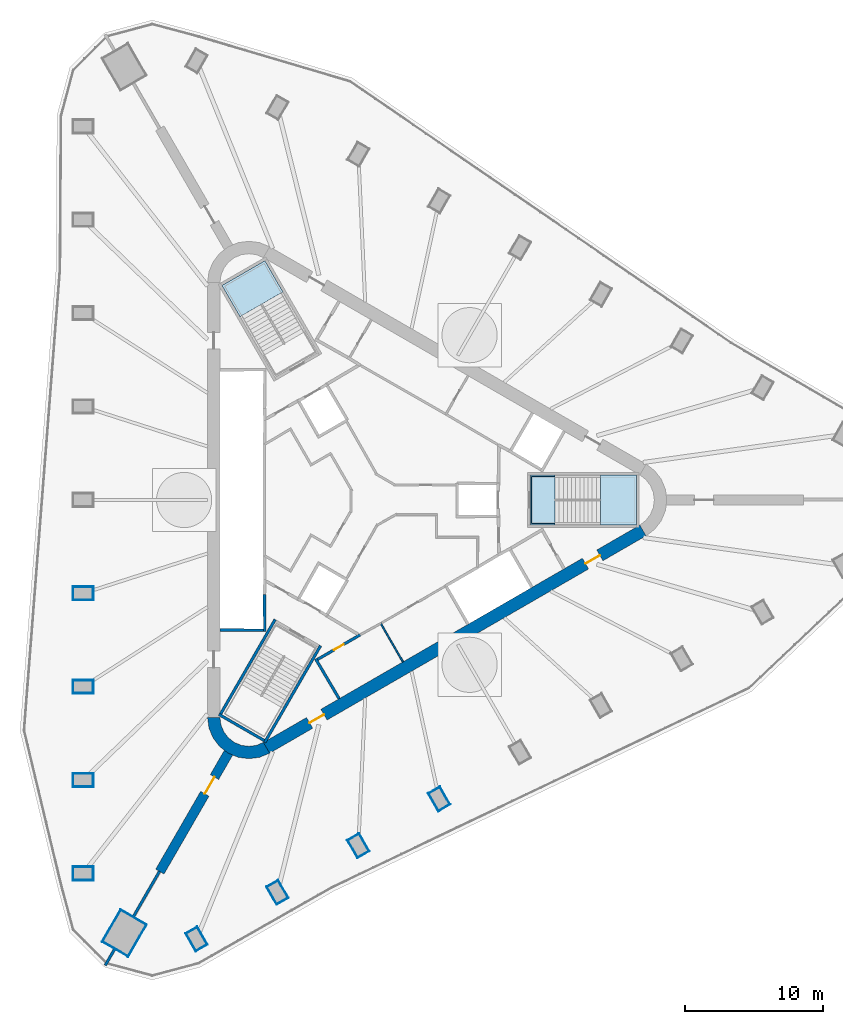
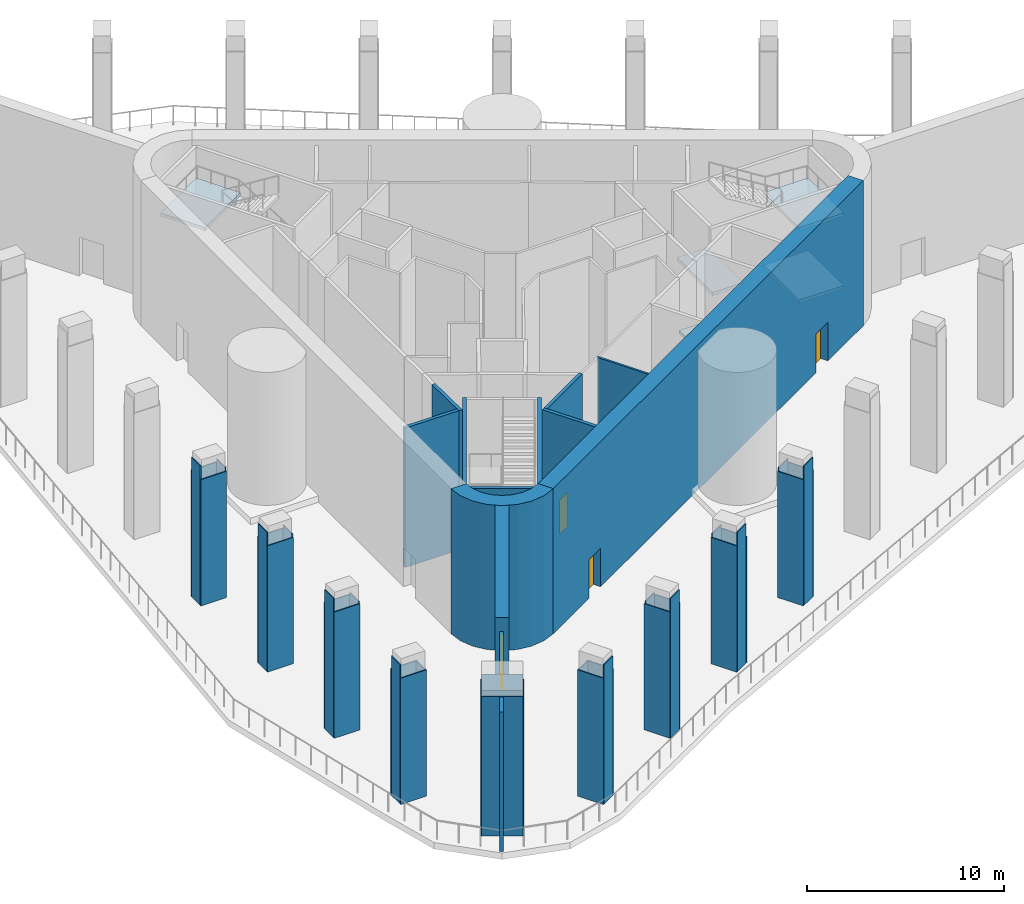
# One storey, part 2 of 10: 49 walls, 5 slabs, 4 doors, 4 openings, 2 elements without a shape of their own.
"""IFC4 building model written with IfcOpenShell, lengths in metres."""

import ifcopenshell
import ifcopenshell.guid

model = None  # the IFC model being written
_history = None  # IfcOwnerHistory: only IFC2X3 demands one
_inside = {}  # id of a spatial element -> (the spatial element, [elements in it])
_under = {}  # id of a project, library or spatial element -> (it, [spatial elements below it])
_declared = {}  # id of a project -> (the project, [libraries it declares])
_typed = {}  # id of a type object -> (the type object, [elements of that type])
_made_of = {}  # id of a material, layer set ... -> (it, [elements and type objects made of it])


def new_model(schema):
    """Start an empty IFC model of exactly this schema.

    Asked for "IFC4X3", IfcOpenShell would pick the latest addendum, in which some entities
    have other attributes; the version numbers below select the first issue.
    IFC2X3 requires an IfcOwnerHistory on every rooted entity: one is made here for all.
    """
    global model, _history
    if schema == "IFC4X3":
        model = ifcopenshell.file(schema_version=(4, 3, 0, 0))
    else:
        model = ifcopenshell.file(schema=schema)
    _inside.clear()
    _under.clear()
    _declared.clear()
    _typed.clear()
    _made_of.clear()
    _history = None
    if model.schema == "IFC2X3":
        org = make("IfcOrganization", Name="unknown")
        user = make(
            "IfcPersonAndOrganization",
            ThePerson=make("IfcPerson", FamilyName="unknown"),
            TheOrganization=org,
        )
        app = make(
            "IfcApplication",
            ApplicationDeveloper=org,
            Version="unknown",
            ApplicationFullName="unknown",
            ApplicationIdentifier="unknown",
        )
        _history = make(
            "IfcOwnerHistory",
            OwningUser=user,
            OwningApplication=app,
            ChangeAction="ADDED",
            CreationDate=0,
        )
    return model


def make(cls, **values):
    """One entity of the class cls with the attributes given. An attribute that is None is left unset."""
    return model.create_entity(
        cls, **{name: value for name, value in values.items() if value is not None}
    )


def rooted(cls, **values):
    """An entity with a GlobalId (a new one), such as an element, a storey or a relation."""
    return make(cls, GlobalId=ifcopenshell.guid.new(), OwnerHistory=_history, **values)


def si_unit(unit_type, name, prefix=None):
    """IfcSIUnit, for example si_unit("LENGTHUNIT", "METRE", prefix="MILLI")."""
    return make("IfcSIUnit", UnitType=unit_type, Prefix=prefix, Name=name)


def assignment(units):
    """IfcUnitAssignment: the units of a project."""
    return None if units is None else make("IfcUnitAssignment", Units=units)


def point(xyz):
    """IfcCartesianPoint."""
    return None if xyz is None else make("IfcCartesianPoint", Coordinates=xyz)


def direction(xyz):
    """IfcDirection."""
    return None if xyz is None else make("IfcDirection", DirectionRatios=xyz)


def frame(location, z_axis=None, x_axis=None):
    """IfcAxis2Placement3D, a coordinate frame: its origin and axes. An axis left out is left unset."""
    return make(
        "IfcAxis2Placement3D",
        Location=point(location),
        Axis=direction(z_axis),
        RefDirection=direction(x_axis),
    )


def frame_2d(location, x_axis=None):
    """IfcAxis2Placement2D, a coordinate frame in the plane: its origin and x axis."""
    return make(
        "IfcAxis2Placement2D", Location=point(location), RefDirection=direction(x_axis)
    )


def origin():
    """The frame at (0, 0, 0) with its axes left unset."""
    return frame((0.0, 0.0, 0.0))


def place(relative_to, where):
    """IfcLocalPlacement: puts the frame where relative to a parent placement (None: the world)."""
    return make(
        "IfcLocalPlacement", PlacementRelTo=relative_to, RelativePlacement=where
    )


def context(
    kind, dimensions, precision=None, world=None, true_north=None, identifier=None
):
    """IfcGeometricRepresentationContext, for example the 3D "Model" context."""
    return make(
        "IfcGeometricRepresentationContext",
        ContextIdentifier=identifier,
        ContextType=kind,
        CoordinateSpaceDimension=dimensions,
        Precision=precision,
        WorldCoordinateSystem=world,
        TrueNorth=true_north,
    )


def subcontext(parent, identifier, kind, view, scale=None):
    """IfcGeometricRepresentationSubContext, for example "Body" below "Model"."""
    return make(
        "IfcGeometricRepresentationSubContext",
        ContextIdentifier=identifier,
        ContextType=kind,
        ParentContext=parent,
        TargetScale=scale,
        TargetView=view,
    )


def project(units=None, contexts=None):
    """IfcProject with its units and contexts."""
    return rooted(
        "IfcProject",
        Name="project",
        RepresentationContexts=contexts,
        UnitsInContext=assignment(units),
    )


def spatial(cls, under=None, at=None, **own):
    """A site, building, storey or space (cls), placed at a placement, below another one or the project."""
    s = rooted(cls, ObjectPlacement=at, **own)
    if under is not None:
        _under.setdefault(under.id(), (under, []))[1].append(s)
    return s


def polyline(points):
    """IfcPolyline through the points."""
    return make("IfcPolyline", Points=[point(p) for p in points])


def profile(cls, at=None, kind="AREA", **sizes):
    """A parametric profile (cls). Its sizes go by their IFC names, for example OverallWidth=200.0."""
    return make(cls, ProfileType=kind, Position=at, **sizes)


def rectangle(**sizes):
    """IfcRectangleProfileDef."""
    return profile("IfcRectangleProfileDef", **sizes)


def outline(outer, holes=None, kind="AREA"):
    """IfcArbitraryClosedProfileDef: a profile drawn as a closed curve; with holes, ...WithVoids."""
    if holes is None:
        return make("IfcArbitraryClosedProfileDef", ProfileType=kind, OuterCurve=outer)
    return make(
        "IfcArbitraryProfileDefWithVoids",
        ProfileType=kind,
        OuterCurve=outer,
        InnerCurves=holes,
    )


def extrude(swept, where, along, depth):
    """IfcExtrudedAreaSolid: the profile swept, set in the frame where, extruded along a direction by depth."""
    return make(
        "IfcExtrudedAreaSolid",
        SweptArea=swept,
        Position=where,
        ExtrudedDirection=direction(along),
        Depth=depth,
    )


def shape(context_of_items, identifier, shape_type, items):
    """IfcShapeRepresentation: the items that make up one representation, for example the "Body"."""
    return make(
        "IfcShapeRepresentation",
        ContextOfItems=context_of_items,
        RepresentationIdentifier=identifier,
        RepresentationType=shape_type,
        Items=items,
    )


def material(Name=None, Category=None):
    """IfcMaterial."""
    return make("IfcMaterial", Name=Name, Category=Category)


def layer(
    of_material, thickness, ventilated=None, Name=None, Category=None, Priority=None
):
    """IfcMaterialLayer: one layer of a wall or slab, of a material (None: an air gap)."""
    return make(
        "IfcMaterialLayer",
        Material=of_material,
        LayerThickness=thickness,
        IsVentilated=ventilated,
        Name=Name,
        Category=Category,
        Priority=Priority,
    )


def layer_set(layers, Name=None):
    """IfcMaterialLayerSet."""
    return make("IfcMaterialLayerSet", MaterialLayers=layers, LayerSetName=Name)


def made_of(thing, what):
    """Note that an element or type object is made of a material, layer set ...; save() writes the relation."""
    if what is not None:
        _made_of.setdefault(what.id(), (what, []))[1].append(thing)
    return thing


def type_object(cls, material=None, **own):
    """A type object (cls), such as IfcWallType, which elements share."""
    return made_of(rooted(cls, **own), material)


def element(
    cls,
    number,
    at=None,
    inside=None,
    cuts=None,
    type_object=None,
    material=None,
    context=None,
    identifier="Body",
    shape_type=None,
    held_by="IfcProductDefinitionShape",
    body=None,
    shapes=None,
    **own,
):
    """One element of the class cls, such as IfcWall. Its Tag is "e" and its number.

    at: its placement. inside: the storey or other place that contains it. cuts: it is an
    opening in that element (IfcRelVoidsElement). A single representation is given by context,
    identifier, shape_type and body (its items); several are given by shapes. held_by: the class
    of the entity that holds the representations. save() writes the other relations.
    """
    e = rooted(cls, Tag="e%d" % number, ObjectPlacement=at, **own)
    if body is not None:
        shapes = [shape(context, identifier, shape_type, body)]
    if shapes is not None:
        e.Representation = make(held_by, Representations=shapes)
    if inside is not None:
        _inside.setdefault(inside.id(), (inside, []))[1].append(e)
    if cuts is not None:
        rooted(
            "IfcRelVoidsElement", RelatingBuildingElement=cuts, RelatedOpeningElement=e
        )
    if type_object is not None:
        _typed.setdefault(type_object.id(), (type_object, []))[1].append(e)
    return made_of(e, material)


def fill(opening, filler):
    """IfcRelFillsElement: the door or window that sits in an opening."""
    return rooted(
        "IfcRelFillsElement",
        RelatingOpeningElement=opening,
        RelatedBuildingElement=filler,
    )


def aggregate(whole, parts):
    """IfcRelAggregates: a whole, such as a stair, and the parts it consists of."""
    return rooted("IfcRelAggregates", RelatingObject=whole, RelatedObjects=parts)


def save(model, path):
    """Write the relations noted so far, then the file.

    IfcRelAggregates (storeys below a building ...), IfcRelContainedInSpatialStructure (elements
    in a storey), IfcRelDefinesByType, IfcRelAssociatesMaterial and IfcRelDeclares: one each for
    every whole, place, type object, material and project.
    """
    for whole, parts in _under.values():
        aggregate(whole, parts)
    for where, things in _inside.values():
        rooted(
            "IfcRelContainedInSpatialStructure",
            RelatedElements=things,
            RelatingStructure=where,
        )
    for kind, things in _typed.values():
        rooted("IfcRelDefinesByType", RelatedObjects=things, RelatingType=kind)
    for what, things in _made_of.values():
        rooted("IfcRelAssociatesMaterial", RelatedObjects=things, RelatingMaterial=what)
    for by, libraries in _declared.values():
        rooted("IfcRelDeclares", RelatingContext=by, RelatedDefinitions=libraries)
    model.write(path)


model = new_model("IFC4")

# Units and contexts
model_context = context("Model", 3, precision=1e-05, world=origin(), true_north=direction((0.0, 1.0)))
body_context = subcontext(model_context, "Body", "Model", "MODEL_VIEW")
ifc_project = project(units=[si_unit("LENGTHUNIT", "METRE"), si_unit("AREAUNIT", "SQUARE_METRE"), si_unit("VOLUMEUNIT", "CUBIC_METRE"), si_unit("PLANEANGLEUNIT", "RADIAN"), si_unit("MASSUNIT", "GRAM", prefix="KILO")], contexts=[model_context])

# Site, building, storey
site_placement = place(None, origin())
site = spatial("IfcSite", under=ifc_project, at=site_placement, CompositionType="ELEMENT")
building_placement = place(site_placement, origin())
building = spatial("IfcBuilding", under=site, at=building_placement, Name="Tanit Gate Tower", CompositionType="ELEMENT")
storey_placement = place(building_placement, frame((0.0, 0.0, 283.699951171875)))
storey = spatial("IfcBuildingStorey", under=building, at=storey_placement, Name="L64", CompositionType="ELEMENT", Elevation=283.699951171875)

# Stair, slabs
ifc_material_1 = material(Name="Concrete C40/50", Category="concrete")
stair_type = type_object("IfcStairType", Name="INT-STAIR-EXIT", PredefinedType="HALF_TURN_STAIR", material=ifc_material_1)
stair_1_placement = place(storey_placement, origin())
stair_1 = element("IfcStair", 1, at=stair_1_placement, inside=storey, type_object=stair_type, Name="L64 STAIR S1", PredefinedType="HALF_TURN_STAIR")
ifc_material_2 = material(Name="Concrete C40/50", Category="concrete")
ifc_layer_1 = layer(ifc_material_2, 0.199951171875)
ifc_layer_set_1 = layer_set([ifc_layer_1], Name="INT-STAIR-LANDING")
slab_type = type_object("IfcSlabType", Name="INT-STAIR-LANDING", PredefinedType="LANDING", material=ifc_layer_set_1)
slab_1_placement = place(storey_placement, frame((0.0, 0.0, 2.050048828125)))
slab_1 = element("IfcSlab", 2, at=slab_1_placement, type_object=slab_type, Name="S1 landing 1", PredefinedType="LANDING", context=body_context, shape_type="SweptSolid", body=[
    extrude(outline(polyline([(16.385009765625, -1.800048828125), (19.0, -1.800048828125), (19.0, 1.800048828125), (16.385009765625, 1.800048828125), (16.385009765625, -1.800048828125)])), origin(), (0.0, 0.0, 1.0), 0.199951171875),
])
slab_2_placement = place(storey_placement, frame((0.0, 0.0, 4.300048828125)))
slab_2 = element("IfcSlab", 3, at=slab_2_placement, type_object=slab_type, Name="S1 landing 2", PredefinedType="LANDING", context=body_context, shape_type="SweptSolid", body=[
    extrude(outline(polyline([(11.300048828125, -1.800048828125), (13.10498046875, -1.800048828125), (13.10498046875, 1.800048828125), (11.300048828125, 1.800048828125), (11.300048828125, -1.800048828125)])), origin(), (0.0, 0.0, 1.0), 0.199951171875),
])
slab_3_placement = place(storey_placement, frame((0.0, 0.0, 6.550048828125)))
slab_3 = element("IfcSlab", 4, at=slab_3_placement, type_object=slab_type, Name="S1 landing 3", PredefinedType="LANDING", context=body_context, shape_type="SweptSolid", body=[
    extrude(outline(polyline([(16.385009765625, -1.800048828125), (19.0, -1.800048828125), (19.0, 1.800048828125), (16.385009765625, 1.800048828125), (16.385009765625, -1.800048828125)])), origin(), (0.0, 0.0, 1.0), 0.199951171875),
])
aggregate(stair_1, [slab_1, slab_2, slab_3])

# Slab
slab_4_placement = place(storey_placement, frame((0.0, 0.0, -0.199951171875)))
element("IfcSlab", 5, at=slab_4_placement, inside=storey, type_object=slab_type, Name="S1 floor landing", PredefinedType="LANDING", context=body_context, shape_type="SweptSolid", body=[
    extrude(outline(polyline([(11.3798828125, -1.719970703125), (13.10498046875, -1.719970703125), (13.10498046875, 1.719970703125), (11.3798828125, 1.719970703125), (11.3798828125, -1.719970703125)])), origin(), (0.0, 0.0, 1.0), 0.199951171875),
])

# Stair, slab
stair_2_placement = place(storey_placement, origin())
stair_2 = element("IfcStair", 6, at=stair_2_placement, inside=storey, type_object=stair_type, Name="L64 STAIR S2", PredefinedType="HALF_TURN_STAIR")
slab_5_placement = place(storey_placement, frame((0.0, 0.0, 6.550048828125)))
slab_5 = element("IfcSlab", 7, at=slab_5_placement, type_object=slab_type, Name="S2 landing 3", PredefinedType="LANDING", context=body_context, shape_type="SweptSolid", body=[
    extrude(outline(polyline([(-6.633056640625, 15.0888671875), (-7.941162109375, 17.3544921875), (-11.058837890625, 15.554443359375), (-9.750732421875, 13.2890625), (-6.633056640625, 15.0888671875)])), origin(), (0.0, 0.0, 1.0), 0.199951171875),
])
aggregate(stair_2, [slab_5])

# Wall, opening, door
ifc_material_3 = material(Name="Concrete C50/60", Category="concrete")
ifc_layer_2 = layer(ifc_material_3, 0.699951171875)
ifc_layer_set_2 = layer_set([ifc_layer_2], Name="BUTTRESS FIN 700 C50/60")
wall_type_1 = type_object("IfcWallType", Name="BUTTRESS FIN 700 C50/60", PredefinedType="SHEAR", material=ifc_layer_set_2)
wall_1_placement = place(storey_placement, frame((-10.574951171875, -18.31640625, 0.0), z_axis=(0.0, 0.0, 1.0), x_axis=(-0.500007350791, -0.866021159762, 0.0)))
wall_1 = element("IfcWall", 8, at=wall_1_placement, inside=storey, type_object=wall_type_1, Name="BUTTRESS FIN", PredefinedType="SHEAR", context=body_context, shape_type="SweptSolid", body=[
    extrude(rectangle(XDim=9.964599609375, YDim=0.699951171875, at=frame_2d((4.982421875, 0.0))), origin(), (0.0, 0.0, 1.0), 9.0),
])
opening_1_placement = place(wall_1_placement, frame((2.050048828125, 0.0, 0.0)))
opening_1 = element("IfcOpeningElement", 9, at=opening_1_placement, cuts=wall_1, Name="Opening P14-64-F-SW-1", PredefinedType="OPENING", context=body_context, shape_type="SweptSolid", body=[
    extrude(rectangle(XDim=1.39990234375, YDim=2.39990234375, at=frame_2d((0.699951171875, 1.199951171875))), frame((0.0, 0.35986328125, 0.0), z_axis=(0.0, -1.0, 0.0), x_axis=(1.0, 0.0, 0.0)), (0.0, 0.0, 1.0), 0.719970703125),
])
ifc_material_4 = material(Name="Timber door leaf", Category="wood")
door_type_1 = type_object("IfcDoorType", Name="INT-DOOR-FIN-PAIR-1400", OperationType="NOTDEFINED", PredefinedType="NOTDEFINED", material=ifc_material_4)
door_1_placement = place(opening_1_placement, origin())
door_1 = element("IfcDoor", 10, at=door_1_placement, inside=storey, type_object=door_type_1, Name="Door P14-64-F-SW-1", OperationType="DOUBLE_DOOR_SINGLE_SWING", OverallHeight=2.39990234375, OverallWidth=1.39990234375, PredefinedType="NOTDEFINED", context=body_context, shape_type="SweptSolid", body=[
    extrude(rectangle(XDim=1.39990234375, YDim=2.39990234375, at=frame_2d((0.699951171875, 1.199951171875))), frame((0.0, 0.02490234375, 0.0), z_axis=(0.0, -1.0, 0.0), x_axis=(1.0, 0.0, 0.0)), (0.0, 0.0, 1.0), 0.050048828125),
])
fill(opening_1, door_1)

# Wall, openings, doors
ifc_material_5 = material(Name="Concrete C50/60", Category="concrete")
ifc_layer_3 = layer(ifc_material_5, 0.89990234375)
ifc_layer_set_3 = layer_set([ifc_layer_3], Name="CORE WALL 900 C50/60")
wall_type_2 = type_object("IfcWallType", Name="CORE WALL 900 C50/60", PredefinedType="SHEAR", material=ifc_layer_set_3)
wall_2_placement = place(storey_placement, frame((-7.824951171875, -17.969970703125, 0.0), z_axis=(0.0, 0.0, 1.0), x_axis=(0.866028369851, 0.499994862586, 0.0)))
wall_2 = element("IfcWall", 11, at=wall_2_placement, inside=storey, type_object=wall_type_2, Name="CORE WALL", PredefinedType="SHEAR", context=body_context, shape_type="SweptSolid", body=[
    extrude(rectangle(XDim=31.523193359375, YDim=0.89990234375, at=frame_2d((15.76171875, 0.0))), origin(), (0.0, 0.0, 1.0), 9.0),
])
opening_2_placement = place(wall_2_placement, frame((26.711669921875, 0.0, 0.0)))
opening_2 = element("IfcOpeningElement", 12, at=opening_2_placement, cuts=wall_2, Name="Opening F12-64-S1", PredefinedType="OPENING", context=body_context, shape_type="SweptSolid", body=[
    extrude(rectangle(XDim=1.199951171875, YDim=2.39990234375, at=frame_2d((0.60009765625, 1.199951171875))), frame((0.0, 0.4599609375, 0.0), z_axis=(0.0, -1.0, 0.0), x_axis=(1.0, 0.0, 0.0)), (0.0, 0.0, 1.0), 0.919921875),
])
opening_3_placement = place(wall_2_placement, frame((3.611572265625, 0.0, 0.0)))
opening_3 = element("IfcOpeningElement", 13, at=opening_3_placement, cuts=wall_2, Name="Opening F12-64-FL3", PredefinedType="OPENING", context=body_context, shape_type="SweptSolid", body=[
    extrude(rectangle(XDim=1.199951171875, YDim=2.39990234375, at=frame_2d((0.60009765625, 1.199951171875))), frame((0.0, 0.4599609375, 0.0), z_axis=(0.0, -1.0, 0.0), x_axis=(1.0, 0.0, 0.0)), (0.0, 0.0, 1.0), 0.919921875),
])
ifc_material_6 = material(Name="Fire-rated steel door leaf", Category="steel")
door_type_2 = type_object("IfcDoorType", Name="INT-DOOR-FIRE-LOBBY-1200", OperationType="NOTDEFINED", PredefinedType="USERDEFINED", material=ifc_material_6)
door_2_placement = place(opening_2_placement, origin())
door_2 = element("IfcDoor", 14, at=door_2_placement, inside=storey, type_object=door_type_2, Name="Door F12-64-S1", ObjectType="FIRE DOOR", OperationType="SINGLE_SWING_LEFT", OverallHeight=2.39990234375, OverallWidth=1.199951171875, PredefinedType="USERDEFINED", context=body_context, shape_type="SweptSolid", body=[
    extrude(rectangle(XDim=1.199951171875, YDim=2.39990234375, at=frame_2d((0.60009765625, 1.199951171875))), frame((0.0, 0.02490234375, 0.0), z_axis=(0.0, -1.0, 0.0), x_axis=(1.0, 0.0, 0.0)), (0.0, 0.0, 1.0), 0.050048828125),
])
fill(opening_2, door_2)
door_3_placement = place(opening_3_placement, origin())
door_3 = element("IfcDoor", 15, at=door_3_placement, inside=storey, type_object=door_type_2, Name="Door F12-64-FL3", ObjectType="FIRE DOOR", OperationType="SINGLE_SWING_LEFT", OverallHeight=2.39990234375, OverallWidth=1.199951171875, PredefinedType="USERDEFINED", context=body_context, shape_type="SweptSolid", body=[
    extrude(rectangle(XDim=1.199951171875, YDim=2.39990234375, at=frame_2d((0.60009765625, 1.199951171875))), frame((0.0, 0.02490234375, 0.0), z_axis=(0.0, -1.0, 0.0), x_axis=(1.0, 0.0, 0.0)), (0.0, 0.0, 1.0), 0.050048828125),
])
fill(opening_3, door_3)

# Walls
wall_3_placement = place(storey_placement, origin())
element("IfcWall", 16, at=wall_3_placement, inside=storey, type_object=wall_type_2, Name="CORE WALL CORNER", PredefinedType="SHEAR", context=body_context, shape_type="SweptSolid", body=[
    extrude(outline(polyline([(-12.10009765625, -15.76171875), (-11.997802734375, -16.5380859375), (-11.697998046875, -17.26171875), (-11.22119140625, -17.883056640625), (-10.60009765625, -18.359619140625), (-9.87646484375, -18.659423828125), (-9.10009765625, -18.76171875), (-8.323486328125, -18.659423828125), (-7.60009765625, -18.359619140625), (-8.050048828125, -17.580322265625), (-8.556396484375, -17.7900390625), (-9.10009765625, -17.86181640625), (-9.6435546875, -17.7900390625), (-10.14990234375, -17.580322265625), (-10.5849609375, -17.24658203125), (-10.918701171875, -16.811767578125), (-11.12841796875, -16.30517578125), (-11.199951171875, -15.76171875), (-12.10009765625, -15.76171875)])), origin(), (0.0, 0.0, 1.0), 9.0),
])
ifc_material_7 = material(Name="Bronze anodised aluminium cladding", Category="aluminium")
ifc_layer_4 = layer(ifc_material_7, 0.06005859375)
ifc_layer_set_4 = layer_set([ifc_layer_4], Name="Column casing bronze 60")
wall_type_3 = type_object("IfcWallType", Name="Column casing bronze 60", PredefinedType="SOLIDWALL", material=ifc_layer_set_4)
for number, where, z_axis, x_axis, name in (
    (17, (-16.519775390625, -30.773193359375, 0.0), (0.0, 0.0, 1.0), (-0.500048779063, -0.865997239347, 0.0), "Column casing L64 M-SW.L1"),
    (18, (-18.390380859375, -29.693115234375, 0.0), (0.0, 0.0, 1.0), (-0.500048779063, -0.865997239347, 0.0), "Column casing L64 M-SW.L2"),
):
    element("IfcWall", number, at=place(storey_placement, frame(where, z_axis=z_axis, x_axis=x_axis)), inside=storey, type_object=wall_type_3, Name=name, PredefinedType="SOLIDWALL", context=body_context, shape_type="SweptSolid", body=[
        extrude(rectangle(XDim=2.719970703125, YDim=0.06005859375, at=frame_2d((1.35986328125, 0.0))), origin(), (0.0, 0.0, 1.0), 7.8359375),
    ])
wall_4_placement = place(storey_placement, frame((-19.70947265625, -32.03759765625, 0.0), z_axis=(0.0, 0.0, 1.0), x_axis=(0.866009402589, -0.500027713859, 0.0)))
element("IfcWall", 19, at=wall_4_placement, inside=storey, type_object=wall_type_3, Name="Column casing L64 M-SW.S1", PredefinedType="SOLIDWALL", context=body_context, shape_type="SweptSolid", body=[
    extrude(rectangle(XDim=2.10009765625, YDim=0.06005859375, at=frame_2d((1.050048828125, 0.0))), origin(), (0.0, 0.0, 1.0), 8.650146484375),
])
wall_5_placement = place(storey_placement, frame((-18.37939453125, -29.734130859375, 0.0), z_axis=(0.0, 0.0, 1.0), x_axis=(0.866009402589, -0.500027713859, 0.0)))
element("IfcWall", 20, at=wall_5_placement, inside=storey, type_object=wall_type_3, Name="Column casing L64 M-SW.S2", PredefinedType="SOLIDWALL", context=body_context, shape_type="SweptSolid", body=[
    extrude(rectangle(XDim=2.10009765625, YDim=0.06005859375, at=frame_2d((1.050048828125, 0.0))), origin(), (0.0, 0.0, 1.0), 8.16015625),
])
for number, where, z_axis, x_axis, name in (
    (21, (-20.361328125, -7.2509765625, 0.0), (0.0, 0.0, 1.0), (-1.0, 0.0, 0.0), "Column casing L64 P-W6.L1"),
    (22, (-20.361328125, -6.291015625, 0.0), (0.0, 0.0, 1.0), (-1.0, 0.0, 0.0), "Column casing L64 P-W6.L2"),
):
    element("IfcWall", number, at=place(storey_placement, frame(where, z_axis=z_axis, x_axis=x_axis)), inside=storey, type_object=wall_type_3, Name=name, PredefinedType="SOLIDWALL", context=body_context, shape_type="SweptSolid", body=[
        extrude(rectangle(XDim=1.52001953125, YDim=0.06005859375, at=frame_2d((0.760009765625, 0.0))), origin(), (0.0, 0.0, 1.0), 7.8359375),
    ])
wall_6_placement = place(storey_placement, frame((-21.851318359375, -6.321044921875, 0.0), z_axis=(0.0, 0.0, 1.0), x_axis=(0.0, -1.0, 0.0)))
element("IfcWall", 23, at=wall_6_placement, inside=storey, type_object=wall_type_3, Name="Column casing L64 P-W6.S1", PredefinedType="SOLIDWALL", context=body_context, shape_type="SweptSolid", body=[
    extrude(rectangle(XDim=0.89990234375, YDim=0.06005859375, at=frame_2d((0.449951171875, 0.0))), origin(), (0.0, 0.0, 1.0), 8.650146484375),
])
wall_7_placement = place(storey_placement, frame((-20.391357421875, -6.321044921875, 0.0), z_axis=(0.0, 0.0, 1.0), x_axis=(0.0, -1.0, 0.0)))
element("IfcWall", 24, at=wall_7_placement, inside=storey, type_object=wall_type_3, Name="Column casing L64 P-W6.S2", PredefinedType="SOLIDWALL", context=body_context, shape_type="SweptSolid", body=[
    extrude(rectangle(XDim=0.89990234375, YDim=0.06005859375, at=frame_2d((0.449951171875, 0.0))), origin(), (0.0, 0.0, 1.0), 8.050048828125),
])
for number, where, z_axis, x_axis, name in (
    (25, (-20.361328125, -14.02197265625, 0.0), (0.0, 0.0, 1.0), (-1.0, 0.0, 0.0), "Column casing L64 P-W7.L1"),
    (26, (-20.361328125, -13.06201171875, 0.0), (0.0, 0.0, 1.0), (-1.0, 0.0, 0.0), "Column casing L64 P-W7.L2"),
):
    element("IfcWall", number, at=place(storey_placement, frame(where, z_axis=z_axis, x_axis=x_axis)), inside=storey, type_object=wall_type_3, Name=name, PredefinedType="SOLIDWALL", context=body_context, shape_type="SweptSolid", body=[
        extrude(rectangle(XDim=1.52001953125, YDim=0.06005859375, at=frame_2d((0.760009765625, 0.0))), origin(), (0.0, 0.0, 1.0), 7.8359375),
    ])
wall_8_placement = place(storey_placement, frame((-21.851318359375, -13.092041015625, 0.0), z_axis=(0.0, 0.0, 1.0), x_axis=(0.0, -1.0, 0.0)))
element("IfcWall", 27, at=wall_8_placement, inside=storey, type_object=wall_type_3, Name="Column casing L64 P-W7.S1", PredefinedType="SOLIDWALL", context=body_context, shape_type="SweptSolid", body=[
    extrude(rectangle(XDim=0.89990234375, YDim=0.06005859375, at=frame_2d((0.449951171875, 0.0))), origin(), (0.0, 0.0, 1.0), 8.650146484375),
])
wall_9_placement = place(storey_placement, frame((-20.391357421875, -13.092041015625, 0.0), z_axis=(0.0, 0.0, 1.0), x_axis=(0.0, -1.0, 0.0)))
element("IfcWall", 28, at=wall_9_placement, inside=storey, type_object=wall_type_3, Name="Column casing L64 P-W7.S2", PredefinedType="SOLIDWALL", context=body_context, shape_type="SweptSolid", body=[
    extrude(rectangle(XDim=0.89990234375, YDim=0.06005859375, at=frame_2d((0.449951171875, 0.0))), origin(), (0.0, 0.0, 1.0), 8.050048828125),
])
for number, where, z_axis, x_axis, name in (
    (29, (-20.361328125, -20.79296875, 0.0), (0.0, 0.0, 1.0), (-1.0, 0.0, 0.0), "Column casing L64 P-W8.L1"),
    (30, (-20.361328125, -19.8330078125, 0.0), (0.0, 0.0, 1.0), (-1.0, 0.0, 0.0), "Column casing L64 P-W8.L2"),
):
    element("IfcWall", number, at=place(storey_placement, frame(where, z_axis=z_axis, x_axis=x_axis)), inside=storey, type_object=wall_type_3, Name=name, PredefinedType="SOLIDWALL", context=body_context, shape_type="SweptSolid", body=[
        extrude(rectangle(XDim=1.52001953125, YDim=0.06005859375, at=frame_2d((0.760009765625, 0.0))), origin(), (0.0, 0.0, 1.0), 7.8359375),
    ])
wall_10_placement = place(storey_placement, frame((-21.851318359375, -19.86279296875, 0.0), z_axis=(0.0, 0.0, 1.0), x_axis=(0.0, -1.0, 0.0)))
element("IfcWall", 31, at=wall_10_placement, inside=storey, type_object=wall_type_3, Name="Column casing L64 P-W8.S1", PredefinedType="SOLIDWALL", context=body_context, shape_type="SweptSolid", body=[
    extrude(rectangle(XDim=0.900146484375, YDim=0.06005859375, at=frame_2d((0.4501953125, 0.0))), origin(), (0.0, 0.0, 1.0), 8.650146484375),
])
wall_11_placement = place(storey_placement, frame((-20.391357421875, -19.86279296875, 0.0), z_axis=(0.0, 0.0, 1.0), x_axis=(0.0, -1.0, 0.0)))
element("IfcWall", 32, at=wall_11_placement, inside=storey, type_object=wall_type_3, Name="Column casing L64 P-W8.S2", PredefinedType="SOLIDWALL", context=body_context, shape_type="SweptSolid", body=[
    extrude(rectangle(XDim=0.900146484375, YDim=0.06005859375, at=frame_2d((0.4501953125, 0.0))), origin(), (0.0, 0.0, 1.0), 7.9599609375),
])
for number, where, z_axis, x_axis, name in (
    (33, (-20.361328125, -27.56396484375, 0.0), (0.0, 0.0, 1.0), (-1.0, 0.0, 0.0), "Column casing L64 P-W9.L1"),
    (34, (-20.361328125, -26.60400390625, 0.0), (0.0, 0.0, 1.0), (-1.0, 0.0, 0.0), "Column casing L64 P-W9.L2"),
):
    element("IfcWall", number, at=place(storey_placement, frame(where, z_axis=z_axis, x_axis=x_axis)), inside=storey, type_object=wall_type_3, Name=name, PredefinedType="SOLIDWALL", context=body_context, shape_type="SweptSolid", body=[
        extrude(rectangle(XDim=1.52001953125, YDim=0.06005859375, at=frame_2d((0.760009765625, 0.0))), origin(), (0.0, 0.0, 1.0), 7.8359375),
    ])
wall_12_placement = place(storey_placement, frame((-21.851318359375, -26.6337890625, 0.0), z_axis=(0.0, 0.0, 1.0), x_axis=(0.0, -1.0, 0.0)))
element("IfcWall", 35, at=wall_12_placement, inside=storey, type_object=wall_type_3, Name="Column casing L64 P-W9.S1", PredefinedType="SOLIDWALL", context=body_context, shape_type="SweptSolid", body=[
    extrude(rectangle(XDim=0.900146484375, YDim=0.06005859375, at=frame_2d((0.4501953125, 0.0))), origin(), (0.0, 0.0, 1.0), 8.650146484375),
])
wall_13_placement = place(storey_placement, frame((-20.391357421875, -26.6337890625, 0.0), z_axis=(0.0, 0.0, 1.0), x_axis=(0.0, -1.0, 0.0)))
element("IfcWall", 36, at=wall_13_placement, inside=storey, type_object=wall_type_3, Name="Column casing L64 P-W9.S2", PredefinedType="SOLIDWALL", context=body_context, shape_type="SweptSolid", body=[
    extrude(rectangle(XDim=0.900146484375, YDim=0.06005859375, at=frame_2d((0.4501953125, 0.0))), origin(), (0.0, 0.0, 1.0), 7.8359375),
])
for number, where, z_axis, x_axis, name in (
    (37, (-12.85888671875, -30.935302734375, 0.0), (0.0, 0.0, 1.0), (0.49987077196, -0.866100000774, 0.0), "Column casing L64 P-SE1.L1"),
    (38, (-13.6904296875, -31.415283203125, 0.0), (0.0, 0.0, 1.0), (0.499991248344, -0.866030456496, 0.0), "Column casing L64 P-SE1.L2"),
):
    element("IfcWall", number, at=place(storey_placement, frame(where, z_axis=z_axis, x_axis=x_axis)), inside=storey, type_object=wall_type_3, Name=name, PredefinedType="SOLIDWALL", context=body_context, shape_type="SweptSolid", body=[
        extrude(rectangle(XDim=1.52001953125, YDim=0.06005859375, at=frame_2d((0.760009765625, 0.0))), origin(), (0.0, 0.0, 1.0), 7.8359375),
    ])
wall_14_placement = place(storey_placement, frame((-12.91943359375, -32.69091796875, 0.0), z_axis=(0.0, 0.0, 1.0), x_axis=(0.865964261186, 0.500105887137, 0.0)))
element("IfcWall", 39, at=wall_14_placement, inside=storey, type_object=wall_type_3, Name="Column casing L64 P-SE1.S1", PredefinedType="SOLIDWALL", context=body_context, shape_type="SweptSolid", body=[
    extrude(rectangle(XDim=0.900146484375, YDim=0.06005859375, at=frame_2d((0.4501953125, 0.0))), origin(), (0.0, 0.0, 1.0), 8.650146484375),
])
wall_15_placement = place(storey_placement, frame((-13.6494140625, -31.426513671875, 0.0), z_axis=(0.0, 0.0, 1.0), x_axis=(0.865896406789, 0.500223362819, 0.0)))
element("IfcWall", 40, at=wall_15_placement, inside=storey, type_object=wall_type_3, Name="Column casing L64 P-SE1.S2", PredefinedType="SOLIDWALL", context=body_context, shape_type="SweptSolid", body=[
    extrude(rectangle(XDim=0.89990234375, YDim=0.06005859375, at=frame_2d((0.449951171875, 0.0))), origin(), (0.0, 0.0, 1.0), 7.8359375),
])
for number, where, z_axis, x_axis, name in (
    (41, (-6.9951171875, -27.550048828125, 0.0), (0.0, 0.0, 1.0), (0.499991248344, -0.866030456496, 0.0), "Column casing L64 P-SE2.L1"),
    (42, (-7.826416015625, -28.030029296875, 0.0), (0.0, 0.0, 1.0), (0.499991248344, -0.866030456496, 0.0), "Column casing L64 P-SE2.L2"),
):
    element("IfcWall", number, at=place(storey_placement, frame(where, z_axis=z_axis, x_axis=x_axis)), inside=storey, type_object=wall_type_3, Name=name, PredefinedType="SOLIDWALL", context=body_context, shape_type="SweptSolid", body=[
        extrude(rectangle(XDim=1.52001953125, YDim=0.06005859375, at=frame_2d((0.760009765625, 0.0))), origin(), (0.0, 0.0, 1.0), 7.8359375),
    ])
wall_16_placement = place(storey_placement, frame((-7.055419921875, -29.305419921875, 0.0), z_axis=(0.0, 0.0, 1.0), x_axis=(0.866013897511, 0.50001992892, 0.0)))
element("IfcWall", 43, at=wall_16_placement, inside=storey, type_object=wall_type_3, Name="Column casing L64 P-SE2.S1", PredefinedType="SOLIDWALL", context=body_context, shape_type="SweptSolid", body=[
    extrude(rectangle(XDim=0.89990234375, YDim=0.06005859375, at=frame_2d((0.449951171875, 0.0))), origin(), (0.0, 0.0, 1.0), 8.650146484375),
])
wall_17_placement = place(storey_placement, frame((-7.785400390625, -28.041015625, 0.0), z_axis=(0.0, 0.0, 1.0), x_axis=(0.866013897511, 0.50001992892, 0.0)))
element("IfcWall", 44, at=wall_17_placement, inside=storey, type_object=wall_type_3, Name="Column casing L64 P-SE2.S2", PredefinedType="SOLIDWALL", context=body_context, shape_type="SweptSolid", body=[
    extrude(rectangle(XDim=0.89990234375, YDim=0.06005859375, at=frame_2d((0.449951171875, 0.0))), origin(), (0.0, 0.0, 1.0), 7.9599609375),
])
for number, where, z_axis, x_axis, name in (
    (45, (-1.13134765625, -24.16455078125, 0.0), (0.0, 0.0, 1.0), (0.499991248344, -0.866030456496, 0.0), "Column casing L64 P-SE3.L1"),
    (46, (-1.962646484375, -24.64453125, 0.0), (0.0, 0.0, 1.0), (0.499991248344, -0.866030456496, 0.0), "Column casing L64 P-SE3.L2"),
):
    element("IfcWall", number, at=place(storey_placement, frame(where, z_axis=z_axis, x_axis=x_axis)), inside=storey, type_object=wall_type_3, Name=name, PredefinedType="SOLIDWALL", context=body_context, shape_type="SweptSolid", body=[
        extrude(rectangle(XDim=1.52001953125, YDim=0.06005859375, at=frame_2d((0.760009765625, 0.0))), origin(), (0.0, 0.0, 1.0), 7.8359375),
    ])
wall_18_placement = place(storey_placement, frame((-1.191650390625, -25.919921875, 0.0), z_axis=(0.0, 0.0, 1.0), x_axis=(0.866013897511, 0.50001992892, 0.0)))
element("IfcWall", 47, at=wall_18_placement, inside=storey, type_object=wall_type_3, Name="Column casing L64 P-SE3.S1", PredefinedType="SOLIDWALL", context=body_context, shape_type="SweptSolid", body=[
    extrude(rectangle(XDim=0.89990234375, YDim=0.06005859375, at=frame_2d((0.449951171875, 0.0))), origin(), (0.0, 0.0, 1.0), 8.650146484375),
])
wall_19_placement = place(storey_placement, frame((-1.921630859375, -24.655517578125, 0.0), z_axis=(0.0, 0.0, 1.0), x_axis=(0.866013897511, 0.50001992892, 0.0)))
element("IfcWall", 48, at=wall_19_placement, inside=storey, type_object=wall_type_3, Name="Column casing L64 P-SE3.S2", PredefinedType="SOLIDWALL", context=body_context, shape_type="SweptSolid", body=[
    extrude(rectangle(XDim=0.89990234375, YDim=0.06005859375, at=frame_2d((0.449951171875, 0.0))), origin(), (0.0, 0.0, 1.0), 8.050048828125),
])
for number, where, z_axis, x_axis, name in (
    (49, (4.732666015625, -20.779052734375, 0.0), (0.0, 0.0, 1.0), (0.499991248344, -0.866030456496, 0.0), "Column casing L64 P-SE4.L1"),
    (50, (3.901123046875, -21.259033203125, 0.0), (0.0, 0.0, 1.0), (0.499991248344, -0.866030456496, 0.0), "Column casing L64 P-SE4.L2"),
):
    element("IfcWall", number, at=place(storey_placement, frame(where, z_axis=z_axis, x_axis=x_axis)), inside=storey, type_object=wall_type_3, Name=name, PredefinedType="SOLIDWALL", context=body_context, shape_type="SweptSolid", body=[
        extrude(rectangle(XDim=1.52001953125, YDim=0.06005859375, at=frame_2d((0.760009765625, 0.0))), origin(), (0.0, 0.0, 1.0), 7.8359375),
    ])
wall_20_placement = place(storey_placement, frame((4.672119140625, -22.534423828125, 0.0), z_axis=(0.0, 0.0, 1.0), x_axis=(0.866081705922, 0.499902469156, 0.0)))
element("IfcWall", 51, at=wall_20_placement, inside=storey, type_object=wall_type_3, Name="Column casing L64 P-SE4.S1", PredefinedType="SOLIDWALL", context=body_context, shape_type="SweptSolid", body=[
    extrude(rectangle(XDim=0.900146484375, YDim=0.06005859375, at=frame_2d((0.4501953125, 0.0))), origin(), (0.0, 0.0, 1.0), 8.650146484375),
])
wall_21_placement = place(storey_placement, frame((3.942138671875, -21.27001953125, 0.0), z_axis=(0.0, 0.0, 1.0), x_axis=(0.866081705922, 0.499902469156, 0.0)))
element("IfcWall", 52, at=wall_21_placement, inside=storey, type_object=wall_type_3, Name="Column casing L64 P-SE4.S2", PredefinedType="SOLIDWALL", context=body_context, shape_type="SweptSolid", body=[
    extrude(rectangle(XDim=0.900146484375, YDim=0.06005859375, at=frame_2d((0.4501953125, 0.0))), origin(), (0.0, 0.0, 1.0), 8.050048828125),
])
ifc_material_8 = material(Name="Fire-rated gypsum board partition")
ifc_layer_5 = layer(ifc_material_8, 0.199951171875)
ifc_layer_set_5 = layer_set([ifc_layer_5], Name="INT-WALL-COMPARTMENT")
wall_type_4 = type_object("IfcWallType", Name="INT-WALL-COMPARTMENT", PredefinedType="PARTITIONING", material=ifc_layer_set_5)
wall_22_placement = place(storey_placement, frame((-4.259765625, -11.523681640625, 0.0), z_axis=(0.0, 0.0, 1.0), x_axis=(0.507997497166, -0.861358544901, 0.0)))
element("IfcWall", 53, at=wall_22_placement, inside=storey, type_object=wall_type_4, Name="Wall Compartment W053", PredefinedType="PARTITIONING", context=body_context, shape_type="SweptSolid", body=[
    extrude(rectangle(XDim=3.350341796875, YDim=0.199951171875, at=frame_2d((1.67529296875, 0.0))), origin(), (0.0, 0.0, 1.0), 8.650146484375),
])

# Wall, opening, door
wall_23_placement = place(storey_placement, frame((-1.02392578125, -9.77099609375, 0.0), z_axis=(0.0, 0.0, 1.0), x_axis=(-0.866029903013, -0.499992207027, 0.0)))
wall_23 = element("IfcWall", 54, at=wall_23_placement, inside=storey, type_object=wall_type_4, Name="Wall Compartment W054", PredefinedType="PARTITIONING", context=body_context, shape_type="SweptSolid", body=[
    extrude(rectangle(XDim=3.57763671875, YDim=0.199951171875, at=frame_2d((1.788818359375, 0.0))), origin(), (0.0, 0.0, 1.0), 8.650146484375),
])
opening_4_placement = place(wall_23_placement, frame((1.388916015625, 0.0, 0.0)))
opening_4 = element("IfcOpeningElement", 55, at=opening_4_placement, cuts=wall_23, Name="Opening R08-64-16", PredefinedType="OPENING", context=body_context, shape_type="SweptSolid", body=[
    extrude(rectangle(XDim=0.800048828125, YDim=2.10009765625, at=frame_2d((0.39990234375, 1.050048828125))), frame((0.0, 0.10986328125, 0.0), z_axis=(0.0, -1.0, 0.0), x_axis=(1.0, 0.0, 0.0)), (0.0, 0.0, 1.0), 0.219970703125),
])
ifc_material_9 = material(Name="Timber door leaf", Category="wood")
door_type_3 = type_object("IfcDoorType", Name="INT-DOOR-RISER-800", OperationType="NOTDEFINED", PredefinedType="USERDEFINED", material=ifc_material_9)
door_4_placement = place(opening_4_placement, origin())
door_4 = element("IfcDoor", 56, at=door_4_placement, inside=storey, type_object=door_type_3, Name="Door R08-64-16", ObjectType="FIRE DOOR", OperationType="SINGLE_SWING_LEFT", OverallHeight=2.10009765625, OverallWidth=0.800048828125, PredefinedType="USERDEFINED", context=body_context, shape_type="SweptSolid", body=[
    extrude(rectangle(XDim=0.800048828125, YDim=2.10009765625, at=frame_2d((0.39990234375, 1.050048828125))), frame((0.0, 0.02490234375, 0.0), z_axis=(0.0, -1.0, 0.0), x_axis=(1.0, 0.0, 0.0)), (0.0, 0.0, 1.0), 0.050048828125),
])
fill(opening_4, door_4)

# Walls
wall_24_placement = place(storey_placement, frame((-15.583251953125, -26.930908203125, 0.0), z_axis=(0.0, 0.0, 1.0), x_axis=(-0.500026313257, -0.866010211285, 0.0)))
element("IfcWall", 57, at=wall_24_placement, inside=storey, type_object=wall_type_4, Name="Wall Compartment W086", PredefinedType="PARTITIONING", context=body_context, shape_type="SweptSolid", body=[
    extrude(rectangle(XDim=3.755615234375, YDim=0.199951171875, at=frame_2d((1.8779296875, 0.0))), origin(), (0.0, 0.0, 1.0), 8.130126953125),
])
wall_25_placement = place(storey_placement, frame((-18.861083984375, -32.6083984375, 0.0), z_axis=(0.0, 0.0, 1.0), x_axis=(-0.500064592235, -0.865988108228, 0.0)))
element("IfcWall", 58, at=wall_25_placement, inside=storey, type_object=wall_type_4, Name="Wall Compartment W085", PredefinedType="PARTITIONING", context=body_context, shape_type="SweptSolid", body=[
    extrude(rectangle(XDim=1.317626953125, YDim=0.199951171875, at=frame_2d((0.65869140625, 0.0))), origin(), (0.0, 0.0, 1.0), 8.650146484375),
])
ifc_material_10 = material(Name="Gypsum board partition")
ifc_layer_6 = layer(ifc_material_10, 0.1201171875)
ifc_layer_set_6 = layer_set([ifc_layer_6], Name="INT-WALL-PARTITION")
wall_type_5 = type_object("IfcWallType", Name="INT-WALL-PARTITION", PredefinedType="PARTITIONING", material=ifc_layer_set_6)
wall_26_placement = place(storey_placement, frame((2.066650390625, -11.739501953125, 0.0), z_axis=(0.0, 0.0, 1.0), x_axis=(-0.499984717929, 0.866034226713, 0.0)))
element("IfcWall", 59, at=wall_26_placement, inside=storey, type_object=wall_type_5, Name="Wall Partition W052", PredefinedType="PARTITIONING", context=body_context, shape_type="SweptSolid", body=[
    extrude(rectangle(XDim=3.25, YDim=0.1201171875, at=frame_2d((1.625, 0.0))), origin(), (0.0, 0.0, 1.0), 8.650146484375),
])
ifc_material_11 = material(Name="Gypsum shaft wall system")
ifc_layer_7 = layer(ifc_material_11, 0.199951171875)
ifc_layer_set_7 = layer_set([ifc_layer_7], Name="INT-WALL-SHAFT")
wall_type_6 = type_object("IfcWallType", Name="INT-WALL-SHAFT", PredefinedType="PLUMBINGWALL", material=ifc_layer_set_7)
wall_27_placement = place(storey_placement, frame((-7.97900390625, -6.85009765625, 0.0), z_axis=(0.0, 0.0, 1.0), x_axis=(0.011121475088, -0.999938154483, 0.0)))
element("IfcWall", 60, at=wall_27_placement, inside=storey, type_object=wall_type_6, Name="Wall Shaft W010", PredefinedType="PLUMBINGWALL", context=body_context, shape_type="SweptSolid", body=[
    extrude(rectangle(XDim=2.7001953125, YDim=0.199951171875, at=frame_2d((1.35009765625, 0.0))), origin(), (0.0, 0.0, 1.0), 8.650146484375),
])
wall_28_placement = place(storey_placement, frame((-8.050048828125, -9.448974609375, 0.0), z_axis=(0.0, 0.0, 1.0), x_axis=(-0.999957467379, 0.009222983926, 0.0)))
element("IfcWall", 61, at=wall_28_placement, inside=storey, type_object=wall_type_6, Name="Wall Shaft W011", PredefinedType="PLUMBINGWALL", context=body_context, shape_type="SweptSolid", body=[
    extrude(rectangle(XDim=3.150146484375, YDim=0.199951171875, at=frame_2d((1.5751953125, 0.0))), origin(), (0.0, 0.0, 1.0), 8.650146484375),
])
ifc_material_12 = material(Name="Concrete C40/50", Category="concrete")
ifc_layer_8 = layer(ifc_material_12, 0.199951171875)
ifc_layer_set_8 = layer_set([ifc_layer_8], Name="INT-WALL-STAIR")
wall_type_7 = type_object("IfcWallType", Name="INT-WALL-STAIR", PredefinedType="SHEAR", material=ifc_layer_set_8)
wall_29_placement = place(storey_placement, frame((-3.904541015625, -10.56298828125, -0.39990234375), z_axis=(0.0, 0.0, 1.0), x_axis=(-0.500012932018, -0.866017937352, 0.0)))
element("IfcWall", 62, at=wall_29_placement, inside=storey, type_object=wall_type_7, Name="Wall Stair W036", PredefinedType="SHEAR", context=body_context, shape_type="SweptSolid", body=[
    extrude(rectangle(XDim=8.099853515625, YDim=0.199951171875, at=frame_2d((4.0498046875, 0.0))), origin(), (0.0, 0.0, 1.0), 9.050048828125),
])
wall_30_placement = place(storey_placement, frame((-11.281982421875, -15.541015625, -0.39990234375), z_axis=(0.0, 0.0, 1.0), x_axis=(0.866000483506, -0.500043160704, 0.0)))
element("IfcWall", 63, at=wall_30_placement, inside=storey, type_object=wall_type_7, Name="Wall Stair W037", PredefinedType="SHEAR", context=body_context, shape_type="SweptSolid", body=[
    extrude(rectangle(XDim=3.800048828125, YDim=0.199951171875, at=frame_2d((1.89990234375, 0.0))), origin(), (0.0, 0.0, 1.0), 9.050048828125),
])
wall_31_placement = place(storey_placement, frame((-7.195556640625, -8.662841796875, -0.39990234375), z_axis=(0.0, 0.0, 1.0), x_axis=(-0.499997992926, -0.866026562566, 0.0)))
element("IfcWall", 64, at=wall_31_placement, inside=storey, type_object=wall_type_7, Name="Wall Stair W038", PredefinedType="SHEAR", context=body_context, shape_type="SweptSolid", body=[
    extrude(rectangle(XDim=7.89990234375, YDim=0.199951171875, at=frame_2d((3.949951171875, 0.0))), origin(), (0.0, 0.0, 1.0), 9.050048828125),
])

save(model, "model.ifc")
